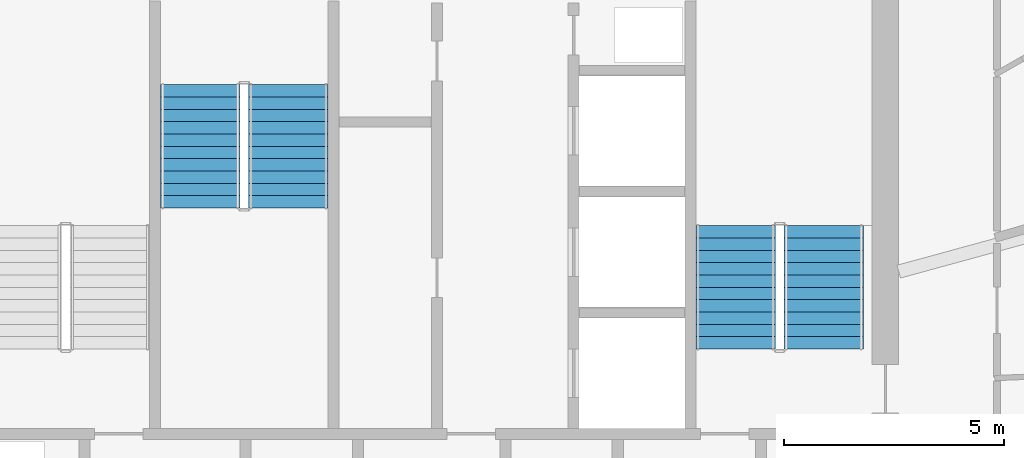
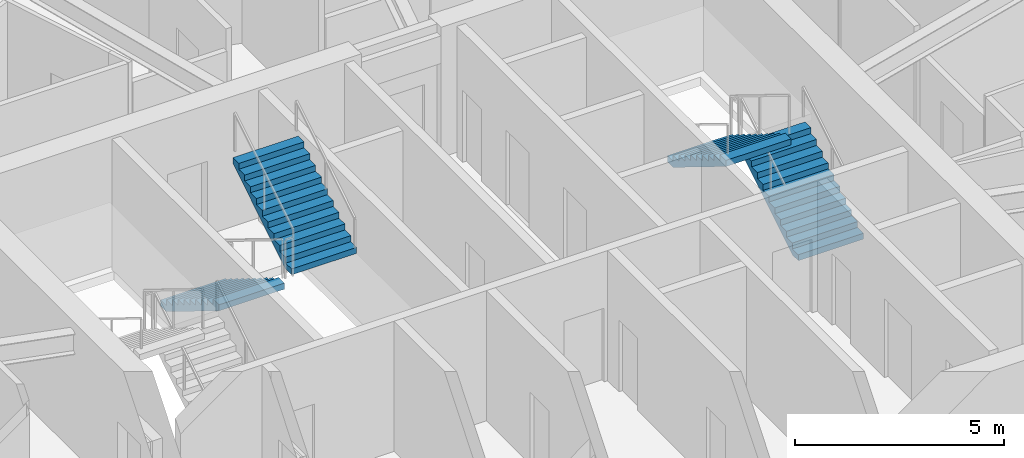
# One storey, part 23 of 26: 4 stair flights, 2 elements without a shape of their own.
"""IFC4 building model written with IfcOpenShell, lengths in metres."""

from ifc_helpers import new_model, si_unit, direction, frame, origin, place, context, subcontext, project, spatial, polyline, outline, extrude, material, type_object, element, aggregate, save


model = new_model("IFC4")

# Units and contexts
model_context = context("Model", 3, precision=1e-05, world=origin(), true_north=direction((0.0, 1.0)))
body_context = subcontext(model_context, "Body", "Model", "MODEL_VIEW")
ifc_project = project(units=[si_unit("LENGTHUNIT", "METRE"), si_unit("AREAUNIT", "SQUARE_METRE"), si_unit("VOLUMEUNIT", "CUBIC_METRE"), si_unit("PLANEANGLEUNIT", "RADIAN"), si_unit("MASSUNIT", "GRAM", prefix="KILO")], contexts=[model_context])

# Site, building, storey
site_placement = place(None, origin())
site = spatial("IfcSite", under=ifc_project, at=site_placement, CompositionType="ELEMENT")
building_placement = place(site_placement, origin())
building = spatial("IfcBuilding", under=site, at=building_placement, Name="Zuhravey Tower", CompositionType="ELEMENT")
storey_placement = place(building_placement, frame((0.0, 0.0, 295.800048828125)))
storey = spatial("IfcBuildingStorey", under=building, at=storey_placement, Name="L75", CompositionType="ELEMENT", Elevation=295.800048828125)

# Stair, stair flights
ifc_material = material(Name="Concrete C40/50", Category="concrete")
stair_type = type_object("IfcStairType", Name="Housing Storey Stair Assembly 3800", PredefinedType="HALF_TURN_STAIR", material=ifc_material)
stair_1_placement = place(storey_placement, origin())
stair_1 = element("IfcStair", 1, at=stair_1_placement, inside=storey, type_object=stair_type, Name="L75 Core Exit Stair ST2", PredefinedType="HALF_TURN_STAIR")
stair_flight_type = type_object("IfcStairFlightType", Name="Housing Storey Stair Flight 3800", PredefinedType="STRAIGHT", material=ifc_material)
stair_flight_1_placement = place(storey_placement, frame((45.10009765625, 33.199951171875, 0.0), z_axis=(0.0, 0.0, 1.0), x_axis=(0.0, 1.0, 0.0)))
stair_flight_1 = element("IfcStairFlight", 2, at=stair_flight_1_placement, type_object=stair_flight_type, Name="ST2 flight 1", NumberOfRisers=11, NumberOfTreads=10, PredefinedType="STRAIGHT", RiserHeight=0.172727273, TreadLength=0.28, context=body_context, shape_type="SweptSolid", body=[
    extrude(outline(polyline([(0.0, 0.0), (0.0, 0.172607421875), (0.280029296875, 0.172607421875), (0.280029296875, 0.345458984375), (0.56005859375, 0.345458984375), (0.56005859375, 0.51806640625), (0.840087890625, 0.51806640625), (0.840087890625, 0.69091796875), (1.1201171875, 0.69091796875), (1.1201171875, 0.863525390625), (1.39990234375, 0.863525390625), (1.39990234375, 1.036376953125), (1.679931640625, 1.036376953125), (1.679931640625, 1.208984375), (1.9599609375, 1.208984375), (1.9599609375, 1.3818359375), (2.239990234375, 1.3818359375), (2.239990234375, 1.554443359375), (2.52001953125, 1.554443359375), (2.52001953125, 1.727294921875), (2.800048828125, 1.727294921875), (2.800048828125, 1.89990234375), (2.800048828125, 1.551025390625), (0.285400390625, 0.0), (0.0, 0.0)])), frame((0.0, 0.89990234375, 0.0), z_axis=(0.0, -1.0, 0.0), x_axis=(1.0, 0.0, 0.0)), (0.0, 0.0, 1.0), 1.800048828125),
])
stair_flight_2_placement = place(storey_placement, frame((43.10009765625, 36.0, 1.89990234375), z_axis=(0.0, 0.0, 1.0), x_axis=(0.0, -1.0, 0.0)))
stair_flight_2 = element("IfcStairFlight", 3, at=stair_flight_2_placement, type_object=stair_flight_type, Name="ST2 flight 2", NumberOfRisers=11, NumberOfTreads=10, PredefinedType="STRAIGHT", RiserHeight=0.172727273, TreadLength=0.28, context=body_context, shape_type="SweptSolid", body=[
    extrude(outline(polyline([(0.0, 0.0), (0.0, 0.172607421875), (0.280029296875, 0.172607421875), (0.280029296875, 0.345458984375), (0.56005859375, 0.345458984375), (0.56005859375, 0.51806640625), (0.840087890625, 0.51806640625), (0.840087890625, 0.69091796875), (1.1201171875, 0.69091796875), (1.1201171875, 0.863525390625), (1.39990234375, 0.863525390625), (1.39990234375, 1.036376953125), (1.679931640625, 1.036376953125), (1.679931640625, 1.208984375), (1.9599609375, 1.208984375), (1.9599609375, 1.3818359375), (2.239990234375, 1.3818359375), (2.239990234375, 1.554443359375), (2.52001953125, 1.554443359375), (2.52001953125, 1.727294921875), (2.800048828125, 1.727294921875), (2.800048828125, 1.89990234375), (2.800048828125, 1.551025390625), (0.285400390625, 0.0), (0.0, 0.0)])), frame((0.0, 0.89990234375, 0.0), z_axis=(0.0, -1.0, 0.0), x_axis=(1.0, 0.0, 0.0)), (0.0, 0.0, 1.0), 1.800048828125),
])
aggregate(stair_1, [stair_flight_1, stair_flight_2])

stair_2_placement = place(storey_placement, origin())
stair_2 = element("IfcStair", 4, at=stair_2_placement, inside=storey, type_object=stair_type, Name="L75 Core Exit Stair ST3", PredefinedType="HALF_TURN_STAIR")
stair_flight_3_placement = place(storey_placement, frame((30.949951171875, 39.199951171875, 0.0), z_axis=(0.0, 0.0, 1.0), x_axis=(0.0, -1.0, 0.0)))
stair_flight_3 = element("IfcStairFlight", 5, at=stair_flight_3_placement, type_object=stair_flight_type, Name="ST3 flight 1", NumberOfRisers=11, NumberOfTreads=10, PredefinedType="STRAIGHT", RiserHeight=0.172727273, TreadLength=0.28, context=body_context, shape_type="SweptSolid", body=[
    extrude(outline(polyline([(0.0, 0.0), (0.0, 0.172607421875), (0.280029296875, 0.172607421875), (0.280029296875, 0.345458984375), (0.56005859375, 0.345458984375), (0.56005859375, 0.51806640625), (0.840087890625, 0.51806640625), (0.840087890625, 0.69091796875), (1.1201171875, 0.69091796875), (1.1201171875, 0.863525390625), (1.39990234375, 0.863525390625), (1.39990234375, 1.036376953125), (1.679931640625, 1.036376953125), (1.679931640625, 1.208984375), (1.9599609375, 1.208984375), (1.9599609375, 1.3818359375), (2.239990234375, 1.3818359375), (2.239990234375, 1.554443359375), (2.52001953125, 1.554443359375), (2.52001953125, 1.727294921875), (2.800048828125, 1.727294921875), (2.800048828125, 1.89990234375), (2.800048828125, 1.551025390625), (0.285400390625, 0.0), (0.0, 0.0)])), frame((0.0, 0.89990234375, 0.0), z_axis=(0.0, -1.0, 0.0), x_axis=(1.0, 0.0, 0.0)), (0.0, 0.0, 1.0), 1.800048828125),
])
stair_flight_4_placement = place(storey_placement, frame((32.949951171875, 36.39990234375, 1.89990234375), z_axis=(0.0, 0.0, 1.0), x_axis=(0.0, 1.0, 0.0)))
stair_flight_4 = element("IfcStairFlight", 6, at=stair_flight_4_placement, type_object=stair_flight_type, Name="ST3 flight 2", NumberOfRisers=11, NumberOfTreads=10, PredefinedType="STRAIGHT", RiserHeight=0.172727273, TreadLength=0.28, context=body_context, shape_type="SweptSolid", body=[
    extrude(outline(polyline([(0.0, 0.0), (0.0, 0.172607421875), (0.280029296875, 0.172607421875), (0.280029296875, 0.345458984375), (0.56005859375, 0.345458984375), (0.56005859375, 0.51806640625), (0.840087890625, 0.51806640625), (0.840087890625, 0.69091796875), (1.1201171875, 0.69091796875), (1.1201171875, 0.863525390625), (1.39990234375, 0.863525390625), (1.39990234375, 1.036376953125), (1.679931640625, 1.036376953125), (1.679931640625, 1.208984375), (1.9599609375, 1.208984375), (1.9599609375, 1.3818359375), (2.239990234375, 1.3818359375), (2.239990234375, 1.554443359375), (2.52001953125, 1.554443359375), (2.52001953125, 1.727294921875), (2.800048828125, 1.727294921875), (2.800048828125, 1.89990234375), (2.800048828125, 1.551025390625), (0.285400390625, 0.0), (0.0, 0.0)])), frame((0.0, 0.89990234375, 0.0), z_axis=(0.0, -1.0, 0.0), x_axis=(1.0, 0.0, 0.0)), (0.0, 0.0, 1.0), 1.800048828125),
])
aggregate(stair_2, [stair_flight_3, stair_flight_4])

save(model, "model.ifc")
